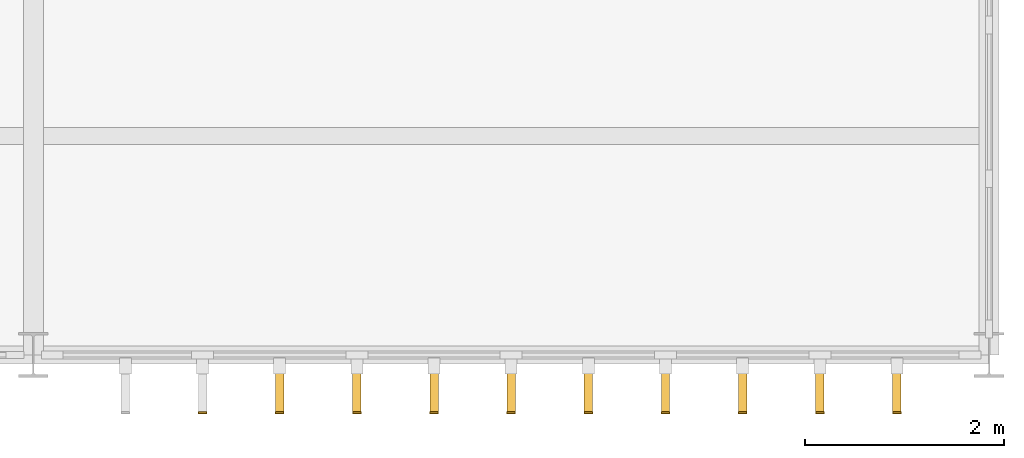
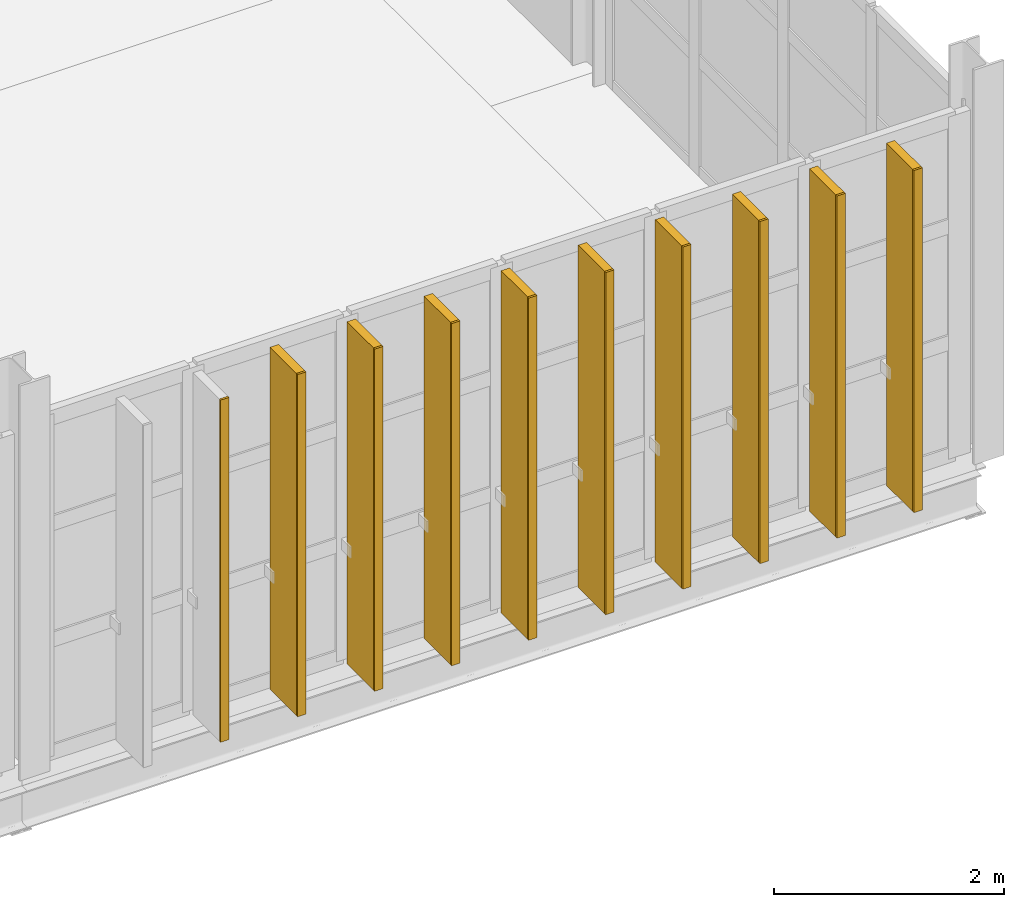
# One storey, part 35 of 38: 10 coverings, 9 shading devices.
"""IFC4 building model written with IfcOpenShell, lengths in metres."""

from ifc_helpers import new_model, si_unit, direction, frame, origin, origin_2d, place, context, subcontext, project, spatial, rectangle, extrude, material, layer, layer_set, type_object, element, save


model = new_model("IFC4")

# Units and contexts
model_context = context("Model", 3, precision=1e-05, world=origin(), true_north=direction((0.0, 1.0)))
body_context = subcontext(model_context, "Body", "Model", "MODEL_VIEW")
ifc_project = project(units=[si_unit("LENGTHUNIT", "METRE"), si_unit("AREAUNIT", "SQUARE_METRE"), si_unit("VOLUMEUNIT", "CUBIC_METRE"), si_unit("PLANEANGLEUNIT", "RADIAN"), si_unit("MASSUNIT", "GRAM", prefix="KILO")], contexts=[model_context])

# Site, building, storey
site_placement = place(None, origin())
site = spatial("IfcSite", under=ifc_project, at=site_placement, CompositionType="ELEMENT")
building_placement = place(site_placement, origin())
building = spatial("IfcBuilding", under=site, at=building_placement, Name="Zarnetskaya Central Station", CompositionType="ELEMENT")
storey_placement = place(building_placement, frame((0.0, 0.0, 18.60009765625)))
storey = spatial("IfcBuildingStorey", under=building, at=storey_placement, Name="L04", CompositionType="ELEMENT", Elevation=18.60009765625)

# Coverings
ifc_material_1 = material(Name="Treated larch timber", Category="wood")
ifc_layer = layer(ifc_material_1, 0.02001953125, Name="Treated larch timber", Category="wood")
ifc_layer_set = layer_set([ifc_layer], Name="Treated larch timber")
covering_type = type_object("IfcCoveringType", Name="COV-LARCH-CAP", PredefinedType="CLADDING", material=ifc_layer_set)
for number, where, z_axis, x_axis, name in (
    (1, (47.074951171875, -0.580078125, 0.0), (0.0, 0.0, 1.0), (-1.0, 0.0, 0.0), "Larch fin weather cap CW-L04-058-01"),
    (2, (46.300048828125, -0.580078125, 0.0), (0.0, 0.0, 1.0), (-1.0, 0.0, 0.0), "Larch fin weather cap CW-L04-058-02"),
    (3, (45.52490234375, -0.580078125, 0.0), (0.0, 0.0, 1.0), (-1.0, 0.0, 0.0), "Larch fin weather cap CW-L04-058-03"),
    (4, (44.75, -0.580078125, 0.0), (0.0, 0.0, 1.0), (-1.0, 0.0, 0.0), "Larch fin weather cap CW-L04-058-04"),
    (5, (43.97509765625, -0.580078125, 0.0), (0.0, 0.0, 1.0), (-1.0, 0.0, 0.0), "Larch fin weather cap CW-L04-058-05"),
    (6, (43.199951171875, -0.580078125, 0.0), (0.0, 0.0, 1.0), (-1.0, 0.0, 0.0), "Larch fin weather cap CW-L04-058-06"),
    (7, (42.425048828125, -0.580078125, 0.0), (0.0, 0.0, 1.0), (-1.0, 0.0, 0.0), "Larch fin weather cap CW-L04-058-07"),
    (8, (41.64990234375, -0.580078125, 0.0), (0.0, 0.0, 1.0), (-1.0, 0.0, 0.0), "Larch fin weather cap CW-L04-058-08"),
    (9, (40.875, -0.580078125, 0.0), (0.0, 0.0, 1.0), (-1.0, 0.0, 0.0), "Larch fin weather cap CW-L04-058-09"),
    (10, (40.10009765625, -0.580078125, 0.0), (0.0, 0.0, 1.0), (-1.0, 0.0, 0.0), "Larch fin weather cap CW-L04-058-10"),
):
    element("IfcCovering", number, at=place(storey_placement, frame(where, z_axis=z_axis, x_axis=x_axis)), inside=storey, type_object=covering_type, Name=name, PredefinedType="CLADDING", context=body_context, shape_type="SweptSolid", body=[
        extrude(rectangle(XDim=0.0849609375, YDim=0.02001953125, at=origin_2d()), origin(), (0.0, 0.0, 1.0), 3.639892578125),
    ])

# Shading devices
ifc_material_2 = material(Name="Larch glulam GL28h", Category="wood")
shading_device_type = type_object("IfcShadingDeviceType", Name="SHD-LARCH-FIN-B", PredefinedType="USERDEFINED", material=ifc_material_2)
for number, where, z_axis, x_axis, name in (
    (11, (47.074951171875, -0.340087890625, 0.0), (0.0, 0.0, 1.0), (-1.0, 0.0, 0.0), "Vertical larch timber fin CW-L04-058-01"),
    (12, (46.300048828125, -0.340087890625, 0.0), (0.0, 0.0, 1.0), (-1.0, 0.0, 0.0), "Vertical larch timber fin CW-L04-058-02"),
    (13, (45.52490234375, -0.340087890625, 0.0), (0.0, 0.0, 1.0), (-1.0, 0.0, 0.0), "Vertical larch timber fin CW-L04-058-03"),
    (14, (44.75, -0.340087890625, 0.0), (0.0, 0.0, 1.0), (-1.0, 0.0, 0.0), "Vertical larch timber fin CW-L04-058-04"),
    (15, (43.97509765625, -0.340087890625, 0.0), (0.0, 0.0, 1.0), (-1.0, 0.0, 0.0), "Vertical larch timber fin CW-L04-058-05"),
    (16, (43.199951171875, -0.340087890625, 0.0), (0.0, 0.0, 1.0), (-1.0, 0.0, 0.0), "Vertical larch timber fin CW-L04-058-06"),
    (17, (42.425048828125, -0.340087890625, 0.0), (0.0, 0.0, 1.0), (-1.0, 0.0, 0.0), "Vertical larch timber fin CW-L04-058-07"),
    (18, (41.64990234375, -0.340087890625, 0.0), (0.0, 0.0, 1.0), (-1.0, 0.0, 0.0), "Vertical larch timber fin CW-L04-058-08"),
    (19, (40.875, -0.340087890625, 0.0), (0.0, 0.0, 1.0), (-1.0, 0.0, 0.0), "Vertical larch timber fin CW-L04-058-09"),
):
    element("IfcShadingDevice", number, at=place(storey_placement, frame(where, z_axis=z_axis, x_axis=x_axis)), inside=storey, type_object=shading_device_type, Name=name, ObjectType="TIMBER FIN", PredefinedType="USERDEFINED", context=body_context, shape_type="SweptSolid", body=[
        extrude(rectangle(XDim=0.0849609375, YDim=0.4599609375, at=origin_2d()), origin(), (0.0, 0.0, 1.0), 3.639892578125),
    ])

save(model, "model.ifc")
